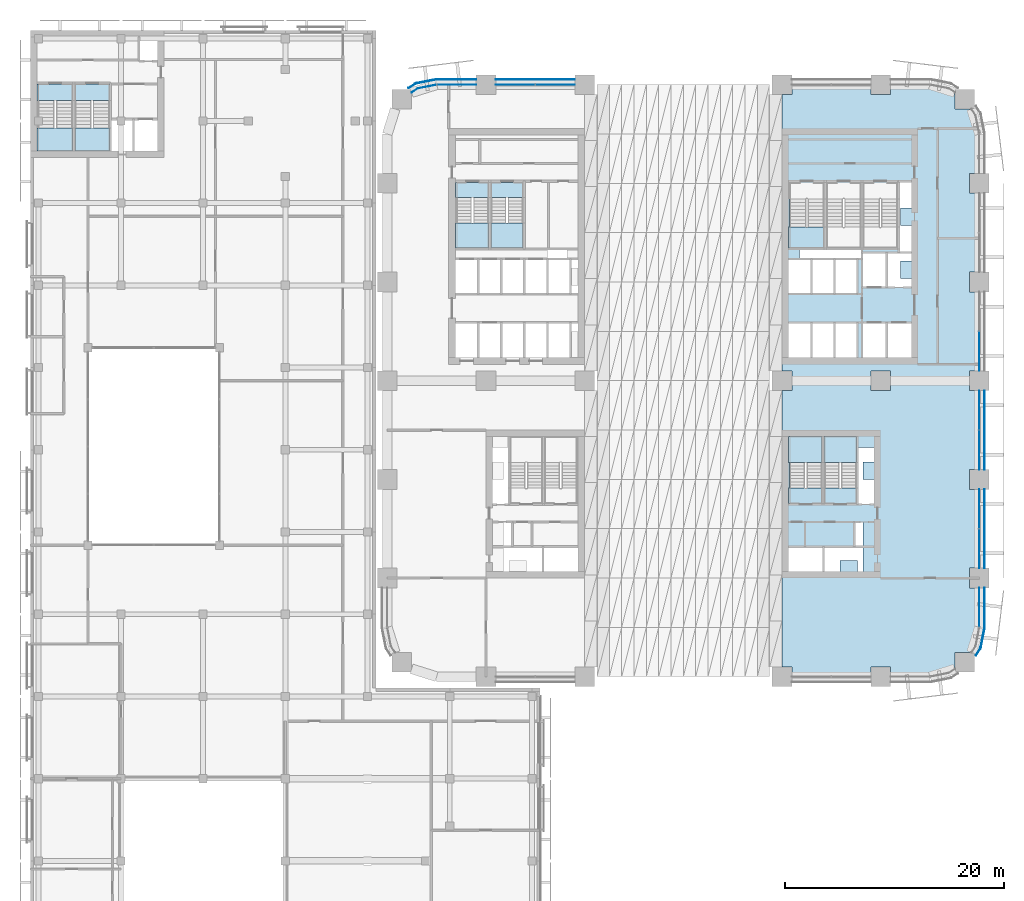
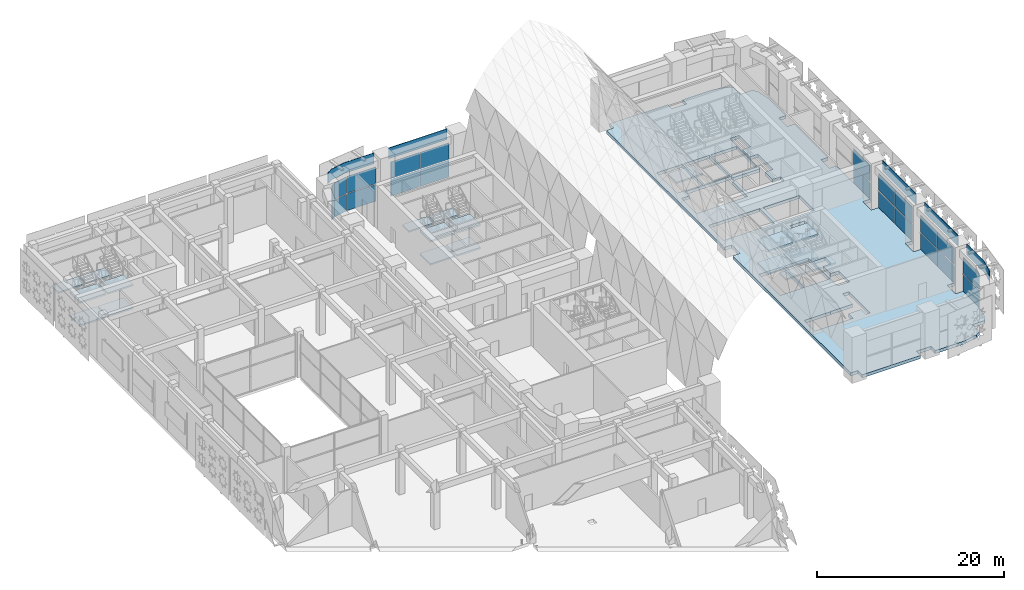
# One storey, part 12 of 46: 25 plates, 20 slabs, 13 elements without a shape of their own.
"""IFC4 building model written with IfcOpenShell, lengths in metres."""

from ifc_helpers import new_model, si_unit, direction, frame, origin, origin_2d, place, context, subcontext, project, spatial, polyline, rectangle, outline, extrude, material, layer, layer_set, type_object, element, aggregate, save


model = new_model("IFC4")

# Units and contexts
model_context = context("Model", 3, precision=1e-05, world=origin(), true_north=direction((0.0, 1.0)))
body_context = subcontext(model_context, "Body", "Model", "MODEL_VIEW")
ifc_project = project(units=[si_unit("LENGTHUNIT", "METRE"), si_unit("AREAUNIT", "SQUARE_METRE"), si_unit("VOLUMEUNIT", "CUBIC_METRE"), si_unit("PLANEANGLEUNIT", "RADIAN"), si_unit("MASSUNIT", "GRAM", prefix="KILO")], contexts=[model_context])

# Site, building, storey
site_placement = place(None, origin())
site = spatial("IfcSite", under=ifc_project, at=site_placement, CompositionType="ELEMENT")
building_placement = place(site_placement, origin())
building = spatial("IfcBuilding", under=site, at=building_placement, Name="Tessera Arch", CompositionType="ELEMENT")
storey_placement = place(building_placement, frame((0.0, 0.0, 8.0)))
storey = spatial("IfcBuildingStorey", under=building, at=storey_placement, Name="L01", CompositionType="ELEMENT", Elevation=8.0)

# Curtain wall, plates
ifc_material_1 = material(Name="CW2 curtain wall")
curtain_wall_type_1 = type_object("IfcCurtainWallType", Name="CW2 curtain wall", PredefinedType="NOTDEFINED", material=ifc_material_1)
curtain_wall_1_placement = place(storey_placement, origin())
curtain_wall_1 = element("IfcCurtainWall", 1, at=curtain_wall_1_placement, inside=storey, type_object=curtain_wall_type_1, Name="CW2 curtain wall N54.0/1 L01", PredefinedType="NOTDEFINED")
ifc_material_2 = material(Name="Clear low-e glass", Category="glass")
ifc_layer_1 = layer(ifc_material_2, 0.028076171875)
ifc_layer_set_1 = layer_set([ifc_layer_1], Name="CW2 glass panel")
plate_type_1 = type_object("IfcPlateType", Name="CW2 glass panel", PredefinedType="CURTAIN_PANEL", material=ifc_layer_set_1)
plate_1_placement = place(storey_placement, frame((6.320068359375, 54.0, 0.0), z_axis=(0.0, 0.0, 1.0), x_axis=(-1.0, 0.0, 0.0)))
plate_1 = element("IfcPlate", 2, at=plate_1_placement, type_object=plate_type_1, Name="CW2 glass panel N54.0/1 1.1", PredefinedType="CURTAIN_PANEL", context=body_context, shape_type="SweptSolid", body=[
    extrude(rectangle(XDim=3.56005859375, YDim=0.028076171875, at=origin_2d()), origin(), (0.0, 0.0, 1.0), 2.195068359375),
])
plate_2_placement = place(storey_placement, origin())
plate_2 = element("IfcPlate", 3, at=plate_2_placement, type_object=plate_type_1, Name="CW2 curved glass panel N54.0/1 2.1", PredefinedType="CURTAIN_PANEL", context=body_context, shape_type="SweptSolid", body=[
    extrude(outline(polyline([(2.783447265625, 53.644287109375), (4.46337890625, 53.978515625), (4.4580078125, 54.005859375), (2.7724609375, 53.670654296875), (2.210205078125, 53.294921875), (2.225830078125, 53.271728515625), (2.783447265625, 53.644287109375)])), origin(), (0.0, 0.0, 1.0), 2.195068359375),
])
plate_3_placement = place(storey_placement, frame((6.320068359375, 54.0, 2.294921875), z_axis=(0.0, 0.0, 1.0), x_axis=(-1.0, 0.0, 0.0)))
plate_3 = element("IfcPlate", 4, at=plate_3_placement, type_object=plate_type_1, Name="CW2 glass panel N54.0/1 1.2", PredefinedType="CURTAIN_PANEL", context=body_context, shape_type="SweptSolid", body=[
    extrude(rectangle(XDim=3.56005859375, YDim=0.028076171875, at=origin_2d()), origin(), (0.0, 0.0, 1.0), 2.195068359375),
])
plate_4_placement = place(storey_placement, frame((0.0, 0.0, 2.294921875)))
plate_4 = element("IfcPlate", 5, at=plate_4_placement, type_object=plate_type_1, Name="CW2 curved glass panel N54.0/1 2.2", PredefinedType="CURTAIN_PANEL", context=body_context, shape_type="SweptSolid", body=[
    extrude(outline(polyline([(2.783447265625, 53.644287109375), (4.46337890625, 53.978515625), (4.4580078125, 54.005859375), (2.7724609375, 53.670654296875), (2.210205078125, 53.294921875), (2.225830078125, 53.271728515625), (2.783447265625, 53.644287109375)])), origin(), (0.0, 0.0, 1.0), 2.195068359375),
])

curtain_wall_2_placement = place(storey_placement, origin())
curtain_wall_2 = element("IfcCurtainWall", 6, at=curtain_wall_2_placement, inside=storey, type_object=curtain_wall_type_1, Name="CW2 curtain wall E54.0/5 L01", PredefinedType="NOTDEFINED")
plate_5_placement = place(storey_placement, frame((54.0, 6.320068359375, 0.0), z_axis=(0.0, 0.0, 1.0), x_axis=(0.0, 1.0, 0.0)))
plate_5 = element("IfcPlate", 7, at=plate_5_placement, type_object=plate_type_1, Name="CW2 glass panel E54.0/5 1.1", PredefinedType="CURTAIN_PANEL", context=body_context, shape_type="SweptSolid", body=[
    extrude(rectangle(XDim=3.56005859375, YDim=0.028076171875, at=origin_2d()), origin(), (0.0, 0.0, 1.0), 2.195068359375),
])
plate_6_placement = place(storey_placement, frame((54.0, 6.320068359375, 2.294921875), z_axis=(0.0, 0.0, 1.0), x_axis=(0.0, 1.0, 0.0)))
plate_6 = element("IfcPlate", 8, at=plate_6_placement, type_object=plate_type_1, Name="CW2 glass panel E54.0/5 1.2", PredefinedType="CURTAIN_PANEL", context=body_context, shape_type="SweptSolid", body=[
    extrude(rectangle(XDim=3.56005859375, YDim=0.028076171875, at=origin_2d()), origin(), (0.0, 0.0, 1.0), 2.195068359375),
])

# Plate
ifc_material_3 = material(Name="Pale anodised aluminium panel", Category="aluminium")
ifc_layer_2 = layer(ifc_material_3, 0.06005859375)
ifc_layer_set_2 = layer_set([ifc_layer_2], Name="CW2 spandrel panel")
plate_type_2 = type_object("IfcPlateType", Name="CW2 spandrel panel", PredefinedType="CURTAIN_PANEL", material=ifc_layer_set_2)
plate_7_placement = place(storey_placement, frame((0.0, 0.0, 4.590087890625)))
plate_7 = element("IfcPlate", 9, at=plate_7_placement, type_object=plate_type_2, Name="CW2 spandrel panel N54.0/1", PredefinedType="CURTAIN_PANEL", context=body_context, shape_type="SweptSolid", body=[
    extrude(outline(polyline([(4.500732421875, 54.449951171875), (8.10009765625, 54.449951171875), (8.10009765625, 54.510009765625), (4.499267578125, 54.510009765625), (4.449951171875, 54.507568359375), (4.401123046875, 54.500244140625), (2.677734375, 54.157470703125), (2.6298828125, 54.1455078125), (2.582763671875, 54.128662109375), (2.537353515625, 54.107177734375), (2.4951171875, 54.08203125), (1.9345703125, 53.707275390625), (1.968017578125, 53.657470703125), (2.52734375, 54.03125), (2.565673828125, 54.05419921875), (2.605712890625, 54.0732421875), (2.647216796875, 54.088134765625), (2.69091796875, 54.09912109375), (4.411376953125, 54.441162109375), (4.455810546875, 54.44775390625), (4.500732421875, 54.449951171875)])), origin(), (0.0, 0.0, 1.0), 1.409912109375),
])

aggregate(curtain_wall_1, [plate_1, plate_2, plate_3, plate_4, plate_7])

plate_8_placement = place(storey_placement, frame((0.0, 0.0, 4.590087890625)))
plate_8 = element("IfcPlate", 10, at=plate_8_placement, type_object=plate_type_2, Name="CW2 spandrel panel E54.0/5", PredefinedType="CURTAIN_PANEL", context=body_context, shape_type="SweptSolid", body=[
    extrude(outline(polyline([(54.03125, 2.52734375), (53.657470703125, 1.968017578125), (53.707275390625, 1.9345703125), (54.08203125, 2.4951171875), (54.107177734375, 2.537353515625), (54.128662109375, 2.582763671875), (54.1455078125, 2.6298828125), (54.157470703125, 2.677734375), (54.500244140625, 4.401123046875), (54.507568359375, 4.449951171875), (54.510009765625, 4.499267578125), (54.510009765625, 8.10009765625), (54.449951171875, 8.10009765625), (54.449951171875, 4.500732421875), (54.44775390625, 4.455810546875), (54.441162109375, 4.411376953125), (54.09912109375, 2.69091796875), (54.088134765625, 2.647216796875), (54.0732421875, 2.605712890625), (54.05419921875, 2.565673828125), (54.03125, 2.52734375)])), origin(), (0.0, 0.0, 1.0), 1.409912109375),
])

aggregate(curtain_wall_2, [plate_5, plate_6, plate_8])

# Curtain wall, plates
ifc_material_4 = material(Name="CW6 curtain wall")
curtain_wall_type_2 = type_object("IfcCurtainWallType", Name="CW6 curtain wall", PredefinedType="NOTDEFINED", material=ifc_material_4)
curtain_wall_3_placement = place(storey_placement, origin())
curtain_wall_3 = element("IfcCurtainWall", 11, at=curtain_wall_3_placement, inside=storey, type_object=curtain_wall_type_2, Name="CW6 curtain wall N54.0/0 L01", PredefinedType="NOTDEFINED")
ifc_material_5 = material(Name="Clear low-e glass", Category="glass")
ifc_layer_3 = layer(ifc_material_5, 0.028076171875)
ifc_layer_set_3 = layer_set([ifc_layer_3], Name="CW6 glass panel")
plate_type_3 = type_object("IfcPlateType", Name="CW6 glass panel", PredefinedType="CURTAIN_PANEL", material=ifc_layer_set_3)
plate_9_placement = place(storey_placement, frame((15.3173828125, 54.0, 0.0), z_axis=(0.0, 0.0, 1.0), x_axis=(-1.0, 0.0, 0.0)))
plate_9 = element("IfcPlate", 12, at=plate_9_placement, type_object=plate_type_3, Name="CW6 glass panel N54.0/0 1.1.1", PredefinedType="CURTAIN_PANEL", context=body_context, shape_type="SweptSolid", body=[
    extrude(rectangle(XDim=3.56494140625, YDim=0.028076171875, at=origin_2d()), origin(), (0.0, 0.0, 1.0), 2.175048828125),
])
plate_10_placement = place(storey_placement, frame((15.3173828125, 54.0, 2.294921875), z_axis=(0.0, 0.0, 1.0), x_axis=(-1.0, 0.0, 0.0)))
plate_10 = element("IfcPlate", 13, at=plate_10_placement, type_object=plate_type_3, Name="CW6 glass panel N54.0/0 1.1.2", PredefinedType="CURTAIN_PANEL", context=body_context, shape_type="SweptSolid", body=[
    extrude(rectangle(XDim=3.56494140625, YDim=0.028076171875, at=origin_2d()), origin(), (0.0, 0.0, 1.0), 2.175048828125),
])
plate_11_placement = place(storey_placement, frame((11.6826171875, 54.0, 0.0), z_axis=(0.0, 0.0, 1.0), x_axis=(-1.0, 0.0, 0.0)))
plate_11 = element("IfcPlate", 14, at=plate_11_placement, type_object=plate_type_3, Name="CW6 glass panel N54.0/0 1.2.1", PredefinedType="CURTAIN_PANEL", context=body_context, shape_type="SweptSolid", body=[
    extrude(rectangle(XDim=3.56494140625, YDim=0.028076171875, at=origin_2d()), origin(), (0.0, 0.0, 1.0), 2.175048828125),
])
plate_12_placement = place(storey_placement, frame((11.6826171875, 54.0, 2.294921875), z_axis=(0.0, 0.0, 1.0), x_axis=(-1.0, 0.0, 0.0)))
plate_12 = element("IfcPlate", 15, at=plate_12_placement, type_object=plate_type_3, Name="CW6 glass panel N54.0/0 1.2.2", PredefinedType="CURTAIN_PANEL", context=body_context, shape_type="SweptSolid", body=[
    extrude(rectangle(XDim=3.56494140625, YDim=0.028076171875, at=origin_2d()), origin(), (0.0, 0.0, 1.0), 2.175048828125),
])

curtain_wall_4_placement = place(storey_placement, origin())
curtain_wall_4 = element("IfcCurtainWall", 16, at=curtain_wall_4_placement, inside=storey, type_object=curtain_wall_type_2, Name="CW6 curtain wall E54.0/0 L01", PredefinedType="NOTDEFINED")
plate_13_placement = place(storey_placement, frame((54.0, 11.6826171875, 0.0), z_axis=(0.0, 0.0, 1.0), x_axis=(0.0, 1.0, 0.0)))
plate_13 = element("IfcPlate", 17, at=plate_13_placement, type_object=plate_type_3, Name="CW6 glass panel E54.0/0 1.1.1", PredefinedType="CURTAIN_PANEL", context=body_context, shape_type="SweptSolid", body=[
    extrude(rectangle(XDim=3.56494140625, YDim=0.028076171875, at=origin_2d()), origin(), (0.0, 0.0, 1.0), 2.175048828125),
])
plate_14_placement = place(storey_placement, frame((54.0, 11.6826171875, 2.294921875), z_axis=(0.0, 0.0, 1.0), x_axis=(0.0, 1.0, 0.0)))
plate_14 = element("IfcPlate", 18, at=plate_14_placement, type_object=plate_type_3, Name="CW6 glass panel E54.0/0 1.1.2", PredefinedType="CURTAIN_PANEL", context=body_context, shape_type="SweptSolid", body=[
    extrude(rectangle(XDim=3.56494140625, YDim=0.028076171875, at=origin_2d()), origin(), (0.0, 0.0, 1.0), 2.175048828125),
])
plate_15_placement = place(storey_placement, frame((54.0, 15.3173828125, 0.0), z_axis=(0.0, 0.0, 1.0), x_axis=(0.0, 1.0, 0.0)))
plate_15 = element("IfcPlate", 19, at=plate_15_placement, type_object=plate_type_3, Name="CW6 glass panel E54.0/0 1.2.1", PredefinedType="CURTAIN_PANEL", context=body_context, shape_type="SweptSolid", body=[
    extrude(rectangle(XDim=3.56494140625, YDim=0.028076171875, at=origin_2d()), origin(), (0.0, 0.0, 1.0), 2.175048828125),
])
plate_16_placement = place(storey_placement, frame((54.0, 15.3173828125, 2.294921875), z_axis=(0.0, 0.0, 1.0), x_axis=(0.0, 1.0, 0.0)))
plate_16 = element("IfcPlate", 20, at=plate_16_placement, type_object=plate_type_3, Name="CW6 glass panel E54.0/0 1.2.2", PredefinedType="CURTAIN_PANEL", context=body_context, shape_type="SweptSolid", body=[
    extrude(rectangle(XDim=3.56494140625, YDim=0.028076171875, at=origin_2d()), origin(), (0.0, 0.0, 1.0), 2.175048828125),
])

curtain_wall_5_placement = place(storey_placement, origin())
curtain_wall_5 = element("IfcCurtainWall", 21, at=curtain_wall_5_placement, inside=storey, type_object=curtain_wall_type_2, Name="CW6 curtain wall E54.0/1 L01", PredefinedType="NOTDEFINED")
plate_17_placement = place(storey_placement, frame((54.0, 20.6826171875, 0.0), z_axis=(0.0, 0.0, 1.0), x_axis=(0.0, 1.0, 0.0)))
plate_17 = element("IfcPlate", 22, at=plate_17_placement, type_object=plate_type_3, Name="CW6 glass panel E54.0/1 1.1.1", PredefinedType="CURTAIN_PANEL", context=body_context, shape_type="SweptSolid", body=[
    extrude(rectangle(XDim=3.56494140625, YDim=0.028076171875, at=origin_2d()), origin(), (0.0, 0.0, 1.0), 2.175048828125),
])
plate_18_placement = place(storey_placement, frame((54.0, 20.6826171875, 2.294921875), z_axis=(0.0, 0.0, 1.0), x_axis=(0.0, 1.0, 0.0)))
plate_18 = element("IfcPlate", 23, at=plate_18_placement, type_object=plate_type_3, Name="CW6 glass panel E54.0/1 1.1.2", PredefinedType="CURTAIN_PANEL", context=body_context, shape_type="SweptSolid", body=[
    extrude(rectangle(XDim=3.56494140625, YDim=0.028076171875, at=origin_2d()), origin(), (0.0, 0.0, 1.0), 2.175048828125),
])
plate_19_placement = place(storey_placement, frame((54.0, 24.3173828125, 0.0), z_axis=(0.0, 0.0, 1.0), x_axis=(0.0, 1.0, 0.0)))
plate_19 = element("IfcPlate", 24, at=plate_19_placement, type_object=plate_type_3, Name="CW6 glass panel E54.0/1 1.2.1", PredefinedType="CURTAIN_PANEL", context=body_context, shape_type="SweptSolid", body=[
    extrude(rectangle(XDim=3.56494140625, YDim=0.028076171875, at=origin_2d()), origin(), (0.0, 0.0, 1.0), 2.175048828125),
])
plate_20_placement = place(storey_placement, frame((54.0, 24.3173828125, 2.294921875), z_axis=(0.0, 0.0, 1.0), x_axis=(0.0, 1.0, 0.0)))
plate_20 = element("IfcPlate", 25, at=plate_20_placement, type_object=plate_type_3, Name="CW6 glass panel E54.0/1 1.2.2", PredefinedType="CURTAIN_PANEL", context=body_context, shape_type="SweptSolid", body=[
    extrude(rectangle(XDim=3.56494140625, YDim=0.028076171875, at=origin_2d()), origin(), (0.0, 0.0, 1.0), 2.175048828125),
])

curtain_wall_6_placement = place(storey_placement, origin())
curtain_wall_6 = element("IfcCurtainWall", 26, at=curtain_wall_6_placement, inside=storey, type_object=curtain_wall_type_2, Name="CW6 curtain wall E54.0/2 L01", PredefinedType="NOTDEFINED")
plate_21_placement = place(storey_placement, frame((54.0, 29.6826171875, 0.0), z_axis=(0.0, 0.0, 1.0), x_axis=(0.0, 1.0, 0.0)))
plate_21 = element("IfcPlate", 27, at=plate_21_placement, type_object=plate_type_3, Name="CW6 glass panel E54.0/2 1.1.1", PredefinedType="CURTAIN_PANEL", context=body_context, shape_type="SweptSolid", body=[
    extrude(rectangle(XDim=3.56494140625, YDim=0.028076171875, at=origin_2d()), origin(), (0.0, 0.0, 1.0), 2.175048828125),
])
plate_22_placement = place(storey_placement, frame((54.0, 29.6826171875, 2.294921875), z_axis=(0.0, 0.0, 1.0), x_axis=(0.0, 1.0, 0.0)))
plate_22 = element("IfcPlate", 28, at=plate_22_placement, type_object=plate_type_3, Name="CW6 glass panel E54.0/2 1.1.2", PredefinedType="CURTAIN_PANEL", context=body_context, shape_type="SweptSolid", body=[
    extrude(rectangle(XDim=3.56494140625, YDim=0.028076171875, at=origin_2d()), origin(), (0.0, 0.0, 1.0), 2.175048828125),
])
aggregate(curtain_wall_6, [plate_21, plate_22])

# Plate
ifc_material_6 = material(Name="Pale anodised aluminium panel", Category="aluminium")
ifc_layer_4 = layer(ifc_material_6, 0.06005859375)
ifc_layer_set_4 = layer_set([ifc_layer_4], Name="CW6 spandrel panel")
plate_type_4 = type_object("IfcPlateType", Name="CW6 spandrel panel", PredefinedType="CURTAIN_PANEL", material=ifc_layer_set_4)
plate_23_placement = place(storey_placement, frame((13.5, 54.47998046875, 4.58984375), z_axis=(0.0, 0.0, 1.0), x_axis=(-1.0, 0.0, 0.0)))
plate_23 = element("IfcPlate", 29, at=plate_23_placement, type_object=plate_type_4, Name="CW6 spandrel panel N54.0/0", PredefinedType="CURTAIN_PANEL", context=body_context, shape_type="SweptSolid", body=[
    extrude(rectangle(XDim=7.199951171875, YDim=0.06005859375, at=origin_2d()), origin(), (0.0, 0.0, 1.0), 1.409912109375),
])

aggregate(curtain_wall_3, [plate_9, plate_10, plate_11, plate_12, plate_23])

plate_24_placement = place(storey_placement, frame((54.47998046875, 13.5, 4.58984375), z_axis=(0.0, 0.0, 1.0), x_axis=(0.0, 1.0, 0.0)))
plate_24 = element("IfcPlate", 30, at=plate_24_placement, type_object=plate_type_4, Name="CW6 spandrel panel E54.0/0", PredefinedType="CURTAIN_PANEL", context=body_context, shape_type="SweptSolid", body=[
    extrude(rectangle(XDim=7.199951171875, YDim=0.06005859375, at=origin_2d()), origin(), (0.0, 0.0, 1.0), 1.409912109375),
])

aggregate(curtain_wall_4, [plate_13, plate_14, plate_15, plate_16, plate_24])

plate_25_placement = place(storey_placement, frame((54.47998046875, 22.5, 4.58984375), z_axis=(0.0, 0.0, 1.0), x_axis=(0.0, 1.0, 0.0)))
plate_25 = element("IfcPlate", 31, at=plate_25_placement, type_object=plate_type_4, Name="CW6 spandrel panel E54.0/1", PredefinedType="CURTAIN_PANEL", context=body_context, shape_type="SweptSolid", body=[
    extrude(rectangle(XDim=7.199951171875, YDim=0.06005859375, at=origin_2d()), origin(), (0.0, 0.0, 1.0), 1.409912109375),
])

aggregate(curtain_wall_5, [plate_17, plate_18, plate_19, plate_20, plate_25])

# Slab
ifc_material_7 = material(Name="Concrete C40/50", Category="concrete")
ifc_layer_5 = layer(ifc_material_7, 0.409912109375)
ifc_layer_set_5 = layer_set([ifc_layer_5], Name="Floor slab 410 Concrete C40/50")
slab_type_1 = type_object("IfcSlabType", Name="Floor slab 410 Concrete C40/50", PredefinedType="FLOOR", material=ifc_layer_set_5)
slab_1_placement = place(storey_placement, frame((0.0, 0.0, -0.409912109375)))
element("IfcSlab", 32, at=slab_1_placement, inside=storey, type_object=slab_type_1, Name="Floor slab L01 2", PredefinedType="FLOOR", context=body_context, shape_type="SweptSolid", body=[
    extrude(outline(polyline([(53.283447265625, 2.218017578125), (51.781982421875, 2.218017578125), (51.781982421875, 0.716552734375), (51.22216796875, 0.342529296875), (49.5, 0.0), (45.89990234375, 0.0), (45.89990234375, 0.89990234375), (44.10009765625, 0.89990234375), (44.10009765625, 0.0), (36.89990234375, 0.0), (36.89990234375, 0.89990234375), (36.0, 0.89990234375), (36.0, 26.10009765625), (36.89990234375, 26.10009765625), (36.89990234375, 27.89990234375), (36.0, 27.89990234375), (36.0, 53.10009765625), (36.89990234375, 53.10009765625), (36.89990234375, 54.0), (44.10009765625, 54.0), (44.10009765625, 53.10009765625), (45.89990234375, 53.10009765625), (45.89990234375, 54.0), (49.5, 54.0), (51.22216796875, 53.657470703125), (51.781982421875, 53.283447265625), (51.781982421875, 51.781982421875), (53.283447265625, 51.781982421875), (53.657470703125, 51.22216796875), (54.0, 49.5), (54.0, 45.89990234375), (53.10009765625, 45.89990234375), (53.10009765625, 44.10009765625), (54.0, 44.10009765625), (54.0, 36.89990234375), (53.10009765625, 36.89990234375), (53.10009765625, 35.10009765625), (54.0, 35.10009765625), (54.0, 27.89990234375), (53.10009765625, 27.89990234375), (53.10009765625, 26.10009765625), (54.0, 26.10009765625), (54.0, 18.89990234375), (53.10009765625, 18.89990234375), (53.10009765625, 17.10009765625), (54.0, 17.10009765625), (54.0, 9.89990234375), (53.10009765625, 9.89990234375), (53.10009765625, 8.10009765625), (54.0, 8.10009765625), (54.0, 4.5), (53.657470703125, 2.77783203125), (53.283447265625, 2.218017578125)]), holes=[polyline([(38.10009765625, 17.199951171875), (38.25, 17.199951171875), (38.25, 17.2099609375), (39.64990234375, 17.2099609375), (39.64990234375, 21.699951171875), (36.699951171875, 21.699951171875), (36.699951171875, 17.2099609375), (38.10009765625, 17.2099609375), (38.10009765625, 17.199951171875)]), polyline([(38.699951171875, 29.10009765625), (40.800048828125, 29.10009765625), (42.89990234375, 29.10009765625), (42.89990234375, 32.300048828125), (40.800048828125, 32.300048828125), (38.699951171875, 32.300048828125), (36.60009765625, 32.300048828125), (36.60009765625, 29.10009765625), (38.699951171875, 29.10009765625)]), polyline([(36.60009765625, 38.10009765625), (36.60009765625, 34.89990234375), (38.699951171875, 34.89990234375), (40.800048828125, 34.89990234375), (42.89990234375, 34.89990234375), (42.89990234375, 38.10009765625), (43.300048828125, 38.10009765625), (43.300048828125, 35.5), (45.550048828125, 35.5), (47.800048828125, 35.5), (47.800048828125, 36.300048828125), (46.800048828125, 36.300048828125), (46.800048828125, 37.89990234375), (47.800048828125, 37.89990234375), (47.800048828125, 38.699951171875), (47.800048828125, 41.14990234375), (46.800048828125, 41.14990234375), (46.800048828125, 42.75), (47.800048828125, 42.75), (47.800048828125, 45.199951171875), (46.64990234375, 45.199951171875), (46.64990234375, 38.699951171875), (45.550048828125, 38.699951171875), (43.300048828125, 38.699951171875), (43.300048828125, 39.0), (37.60009765625, 39.0), (37.60009765625, 38.10009765625), (36.60009765625, 38.10009765625)]), polyline([(39.800048828125, 11.89990234375), (39.800048828125, 11.85009765625), (36.60009765625, 11.85009765625), (36.60009765625, 9.60009765625), (39.800048828125, 9.60009765625), (41.300048828125, 9.60009765625), (41.300048828125, 10.60009765625), (42.89990234375, 10.60009765625), (42.89990234375, 9.60009765625), (43.39990234375, 9.60009765625), (43.39990234375, 11.89990234375), (43.39990234375, 14.10009765625), (42.60009765625, 14.10009765625), (42.60009765625, 11.89990234375), (39.800048828125, 11.89990234375)]), polyline([(42.89990234375, 15.699951171875), (44.39990234375, 15.699951171875), (44.39990234375, 18.0), (43.39990234375, 18.0), (43.39990234375, 19.60009765625), (44.39990234375, 19.60009765625), (44.39990234375, 20.89990234375), (42.89990234375, 20.89990234375), (42.89990234375, 15.699951171875)]), polyline([(41.25, 17.199951171875), (41.39990234375, 17.199951171875), (41.39990234375, 17.2099609375), (42.800048828125, 17.2099609375), (42.800048828125, 21.699951171875), (39.85009765625, 21.699951171875), (39.85009765625, 17.2099609375), (41.25, 17.2099609375), (41.25, 17.199951171875)]), polyline([(44.10009765625, 27.89990234375), (44.10009765625, 26.10009765625), (45.89990234375, 26.10009765625), (45.89990234375, 27.89990234375), (44.10009765625, 27.89990234375)]), polyline([(45.550048828125, 29.10009765625), (47.800048828125, 29.10009765625), (47.800048828125, 32.300048828125), (45.550048828125, 32.300048828125), (43.300048828125, 32.300048828125), (43.300048828125, 29.10009765625), (45.550048828125, 29.10009765625)]), polyline([(38.330078125, 43.570068359375), (38.330078125, 43.580078125), (38.219970703125, 43.580078125), (38.219970703125, 43.570068359375), (36.699951171875, 43.570068359375), (36.699951171875, 39.199951171875), (39.85009765625, 39.199951171875), (39.85009765625, 43.570068359375), (38.330078125, 43.570068359375)]), polyline([(45.030029296875, 43.580078125), (44.919921875, 43.580078125), (44.919921875, 43.570068359375), (43.39990234375, 43.570068359375), (43.39990234375, 39.199951171875), (46.550048828125, 39.199951171875), (46.550048828125, 43.570068359375), (45.030029296875, 43.570068359375), (45.030029296875, 43.580078125)]), polyline([(41.679931640625, 43.570068359375), (41.679931640625, 43.580078125), (41.570068359375, 43.580078125), (41.570068359375, 43.570068359375), (40.050048828125, 43.570068359375), (40.050048828125, 39.199951171875), (43.199951171875, 39.199951171875), (43.199951171875, 43.570068359375), (41.679931640625, 43.570068359375)])]), origin(), (0.0, 0.0, 1.0), 0.409912109375),
])

# Stair, slabs
ifc_material_8 = material(Name="Concrete C40/50", Category="concrete")
stair_type_1 = type_object("IfcStairType", Name="Dogleg stair 1500", PredefinedType="HALF_TURN_STAIR", material=ifc_material_8)
stair_1_placement = place(storey_placement, origin())
stair_1 = element("IfcStair", 33, at=stair_1_placement, inside=storey, type_object=stair_type_1, Name="L01 M1a", PredefinedType="HALF_TURN_STAIR")
ifc_material_9 = material(Name="Concrete C40/50", Category="concrete")
ifc_layer_6 = layer(ifc_material_9, 0.300048828125)
ifc_layer_set_6 = layer_set([ifc_layer_6], Name="Stair landing 300")
slab_type_2 = type_object("IfcSlabType", Name="Stair landing 300", PredefinedType="LANDING", material=ifc_layer_set_6)
slab_2_placement = place(storey_placement, frame((0.0, 0.0, 1.300048828125)))
slab_2 = element("IfcSlab", 34, at=slab_2_placement, type_object=slab_type_2, Name="M1a landing 1", PredefinedType="LANDING", context=body_context, shape_type="SweptSolid", body=[
    extrude(outline(polyline([(-31.949951171875, 50.070068359375), (-31.949951171875, 47.949951171875), (-28.699951171875, 47.949951171875), (-28.699951171875, 50.070068359375), (-31.949951171875, 50.070068359375)])), origin(), (0.0, 0.0, 1.0), 0.199951171875),
])
slab_3_placement = place(storey_placement, frame((0.0, 0.0, 2.800048828125)))
slab_3 = element("IfcSlab", 35, at=slab_3_placement, type_object=slab_type_2, Name="M1a landing 2", PredefinedType="LANDING", context=body_context, shape_type="SweptSolid", body=[
    extrude(outline(polyline([(-31.949951171875, 54.050048828125), (-31.949951171875, 52.550048828125), (-28.699951171875, 52.550048828125), (-28.699951171875, 54.050048828125), (-31.949951171875, 54.050048828125)])), origin(), (0.0, 0.0, 1.0), 0.199951171875),
])
slab_4_placement = place(storey_placement, frame((0.0, 0.0, 4.300048828125)))
slab_4 = element("IfcSlab", 36, at=slab_4_placement, type_object=slab_type_2, Name="M1a landing 3", PredefinedType="LANDING", context=body_context, shape_type="SweptSolid", body=[
    extrude(outline(polyline([(-31.949951171875, 50.070068359375), (-31.949951171875, 47.949951171875), (-28.699951171875, 47.949951171875), (-28.699951171875, 50.070068359375), (-31.949951171875, 50.070068359375)])), origin(), (0.0, 0.0, 1.0), 0.199951171875),
])
aggregate(stair_1, [slab_2, slab_3, slab_4])

stair_2_placement = place(storey_placement, origin())
stair_2 = element("IfcStair", 37, at=stair_2_placement, inside=storey, type_object=stair_type_1, Name="L01 M1b", PredefinedType="HALF_TURN_STAIR")
slab_5_placement = place(storey_placement, frame((0.0, 0.0, 1.300048828125)))
slab_5 = element("IfcSlab", 38, at=slab_5_placement, type_object=slab_type_2, Name="M1b landing 1", PredefinedType="LANDING", context=body_context, shape_type="SweptSolid", body=[
    extrude(outline(polyline([(-28.5, 50.070068359375), (-28.5, 47.949951171875), (-25.35009765625, 47.949951171875), (-25.35009765625, 50.070068359375), (-28.5, 50.070068359375)])), origin(), (0.0, 0.0, 1.0), 0.199951171875),
])
slab_6_placement = place(storey_placement, frame((0.0, 0.0, 2.800048828125)))
slab_6 = element("IfcSlab", 39, at=slab_6_placement, type_object=slab_type_2, Name="M1b landing 2", PredefinedType="LANDING", context=body_context, shape_type="SweptSolid", body=[
    extrude(outline(polyline([(-28.5, 54.050048828125), (-28.5, 52.550048828125), (-25.35009765625, 52.550048828125), (-25.35009765625, 54.050048828125), (-28.5, 54.050048828125)])), origin(), (0.0, 0.0, 1.0), 0.199951171875),
])
slab_7_placement = place(storey_placement, frame((0.0, 0.0, 4.300048828125)))
slab_7 = element("IfcSlab", 40, at=slab_7_placement, type_object=slab_type_2, Name="M1b landing 3", PredefinedType="LANDING", context=body_context, shape_type="SweptSolid", body=[
    extrude(outline(polyline([(-28.5, 50.070068359375), (-28.5, 47.949951171875), (-25.35009765625, 47.949951171875), (-25.35009765625, 50.070068359375), (-28.5, 50.070068359375)])), origin(), (0.0, 0.0, 1.0), 0.199951171875),
])
aggregate(stair_2, [slab_5, slab_6, slab_7])

# Stair, slab
ifc_material_10 = material(Name="Concrete C40/50", Category="concrete")
stair_type_2 = type_object("IfcStairType", Name="Dogleg stair 1520", PredefinedType="HALF_TURN_STAIR", material=ifc_material_10)
stair_3_placement = place(storey_placement, origin())
stair_3 = element("IfcStair", 41, at=stair_3_placement, inside=storey, type_object=stair_type_2, Name="L01 S1a", PredefinedType="HALF_TURN_STAIR")
slab_8_placement = place(storey_placement, frame((0.0, 0.0, 1.300048828125)))
slab_8 = element("IfcSlab", 42, at=slab_8_placement, type_object=slab_type_2, Name="S1a landing 1", PredefinedType="LANDING", context=body_context, shape_type="SweptSolid", body=[
    extrude(outline(polyline([(36.60009765625, 41.02001953125), (36.60009765625, 39.10009765625), (39.85009765625, 39.10009765625), (39.85009765625, 41.02001953125), (36.60009765625, 41.02001953125)])), origin(), (0.0, 0.0, 1.0), 0.199951171875),
])
aggregate(stair_3, [slab_8])

# Stair, slabs
ifc_material_11 = material(Name="Concrete C40/50", Category="concrete")
stair_type_3 = type_object("IfcStairType", Name="Dogleg stair 1400", PredefinedType="HALF_TURN_STAIR", material=ifc_material_11)
stair_4_placement = place(storey_placement, origin())
stair_4 = element("IfcStair", 43, at=stair_4_placement, inside=storey, type_object=stair_type_3, Name="L01 S2a", PredefinedType="HALF_TURN_STAIR")
slab_9_placement = place(storey_placement, frame((0.0, 0.0, 1.300048828125)))
slab_9 = element("IfcSlab", 44, at=slab_9_placement, type_object=slab_type_2, Name="S2a landing 1", PredefinedType="LANDING", context=body_context, shape_type="SweptSolid", body=[
    extrude(outline(polyline([(6.199951171875, 41.3798828125), (6.199951171875, 39.10009765625), (9.25, 39.10009765625), (9.25, 41.3798828125), (6.199951171875, 41.3798828125)])), origin(), (0.0, 0.0, 1.0), 0.199951171875),
])
slab_10_placement = place(storey_placement, frame((0.0, 0.0, 2.800048828125)))
slab_10 = element("IfcSlab", 45, at=slab_10_placement, type_object=slab_type_2, Name="S2a landing 2", PredefinedType="LANDING", context=body_context, shape_type="SweptSolid", body=[
    extrude(outline(polyline([(6.199951171875, 45.10009765625), (6.199951171875, 43.699951171875), (9.25, 43.699951171875), (9.25, 45.10009765625), (6.199951171875, 45.10009765625)])), origin(), (0.0, 0.0, 1.0), 0.199951171875),
])
slab_11_placement = place(storey_placement, frame((0.0, 0.0, 4.300048828125)))
slab_11 = element("IfcSlab", 46, at=slab_11_placement, type_object=slab_type_2, Name="S2a landing 3", PredefinedType="LANDING", context=body_context, shape_type="SweptSolid", body=[
    extrude(outline(polyline([(6.199951171875, 41.3798828125), (6.199951171875, 39.10009765625), (9.25, 39.10009765625), (9.25, 41.3798828125), (6.199951171875, 41.3798828125)])), origin(), (0.0, 0.0, 1.0), 0.199951171875),
])
aggregate(stair_4, [slab_9, slab_10, slab_11])

stair_5_placement = place(storey_placement, origin())
stair_5 = element("IfcStair", 47, at=stair_5_placement, inside=storey, type_object=stair_type_3, Name="L01 S2b", PredefinedType="HALF_TURN_STAIR")
slab_12_placement = place(storey_placement, frame((0.0, 0.0, 1.300048828125)))
slab_12 = element("IfcSlab", 48, at=slab_12_placement, type_object=slab_type_2, Name="S2b landing 1", PredefinedType="LANDING", context=body_context, shape_type="SweptSolid", body=[
    extrude(outline(polyline([(9.449951171875, 41.3798828125), (9.449951171875, 39.10009765625), (12.39990234375, 39.10009765625), (12.39990234375, 41.3798828125), (9.449951171875, 41.3798828125)])), origin(), (0.0, 0.0, 1.0), 0.199951171875),
])
slab_13_placement = place(storey_placement, frame((0.0, 0.0, 2.800048828125)))
slab_13 = element("IfcSlab", 49, at=slab_13_placement, type_object=slab_type_2, Name="S2b landing 2", PredefinedType="LANDING", context=body_context, shape_type="SweptSolid", body=[
    extrude(outline(polyline([(9.449951171875, 45.10009765625), (9.449951171875, 43.699951171875), (12.39990234375, 43.699951171875), (12.39990234375, 45.10009765625), (9.449951171875, 45.10009765625)])), origin(), (0.0, 0.0, 1.0), 0.199951171875),
])
slab_14_placement = place(storey_placement, frame((0.0, 0.0, 4.300048828125)))
slab_14 = element("IfcSlab", 50, at=slab_14_placement, type_object=slab_type_2, Name="S2b landing 3", PredefinedType="LANDING", context=body_context, shape_type="SweptSolid", body=[
    extrude(outline(polyline([(9.449951171875, 41.3798828125), (9.449951171875, 39.10009765625), (12.39990234375, 39.10009765625), (12.39990234375, 41.3798828125), (9.449951171875, 41.3798828125)])), origin(), (0.0, 0.0, 1.0), 0.199951171875),
])
aggregate(stair_5, [slab_12, slab_13, slab_14])

stair_6_placement = place(storey_placement, origin())
stair_6 = element("IfcStair", 51, at=stair_6_placement, inside=storey, type_object=stair_type_3, Name="L01 S3a", PredefinedType="HALF_TURN_STAIR")
slab_15_placement = place(storey_placement, frame((0.0, 0.0, 1.300048828125)))
slab_15 = element("IfcSlab", 52, at=slab_15_placement, type_object=slab_type_2, Name="S3a landing 1", PredefinedType="LANDING", context=body_context, shape_type="SweptSolid", body=[
    extrude(outline(polyline([(39.64990234375, 19.52001953125), (39.64990234375, 21.89990234375), (36.60009765625, 21.89990234375), (36.60009765625, 19.52001953125), (39.64990234375, 19.52001953125)])), origin(), (0.0, 0.0, 1.0), 0.199951171875),
])
slab_16_placement = place(storey_placement, frame((0.0, 0.0, 2.800048828125)))
slab_16 = element("IfcSlab", 53, at=slab_16_placement, type_object=slab_type_2, Name="S3a landing 2", PredefinedType="LANDING", context=body_context, shape_type="SweptSolid", body=[
    extrude(outline(polyline([(39.64990234375, 15.800048828125), (39.64990234375, 17.199951171875), (36.60009765625, 17.199951171875), (36.60009765625, 15.800048828125), (39.64990234375, 15.800048828125)])), origin(), (0.0, 0.0, 1.0), 0.199951171875),
])
slab_17_placement = place(storey_placement, frame((0.0, 0.0, 4.300048828125)))
slab_17 = element("IfcSlab", 54, at=slab_17_placement, type_object=slab_type_2, Name="S3a landing 3", PredefinedType="LANDING", context=body_context, shape_type="SweptSolid", body=[
    extrude(outline(polyline([(39.64990234375, 19.52001953125), (39.64990234375, 21.89990234375), (36.60009765625, 21.89990234375), (36.60009765625, 19.52001953125), (39.64990234375, 19.52001953125)])), origin(), (0.0, 0.0, 1.0), 0.199951171875),
])
aggregate(stair_6, [slab_15, slab_16, slab_17])

stair_7_placement = place(storey_placement, origin())
stair_7 = element("IfcStair", 55, at=stair_7_placement, inside=storey, type_object=stair_type_3, Name="L01 S3b", PredefinedType="HALF_TURN_STAIR")
slab_18_placement = place(storey_placement, frame((0.0, 0.0, 1.300048828125)))
slab_18 = element("IfcSlab", 56, at=slab_18_placement, type_object=slab_type_2, Name="S3b landing 1", PredefinedType="LANDING", context=body_context, shape_type="SweptSolid", body=[
    extrude(outline(polyline([(42.800048828125, 19.52001953125), (42.800048828125, 21.89990234375), (39.85009765625, 21.89990234375), (39.85009765625, 19.52001953125), (42.800048828125, 19.52001953125)])), origin(), (0.0, 0.0, 1.0), 0.199951171875),
])
slab_19_placement = place(storey_placement, frame((0.0, 0.0, 2.800048828125)))
slab_19 = element("IfcSlab", 57, at=slab_19_placement, type_object=slab_type_2, Name="S3b landing 2", PredefinedType="LANDING", context=body_context, shape_type="SweptSolid", body=[
    extrude(outline(polyline([(42.800048828125, 15.800048828125), (42.800048828125, 17.199951171875), (39.85009765625, 17.199951171875), (39.85009765625, 15.800048828125), (42.800048828125, 15.800048828125)])), origin(), (0.0, 0.0, 1.0), 0.199951171875),
])
slab_20_placement = place(storey_placement, frame((0.0, 0.0, 4.300048828125)))
slab_20 = element("IfcSlab", 58, at=slab_20_placement, type_object=slab_type_2, Name="S3b landing 3", PredefinedType="LANDING", context=body_context, shape_type="SweptSolid", body=[
    extrude(outline(polyline([(42.800048828125, 19.52001953125), (42.800048828125, 21.89990234375), (39.85009765625, 21.89990234375), (39.85009765625, 19.52001953125), (42.800048828125, 19.52001953125)])), origin(), (0.0, 0.0, 1.0), 0.199951171875),
])
aggregate(stair_7, [slab_18, slab_19, slab_20])

save(model, "model.ifc")
